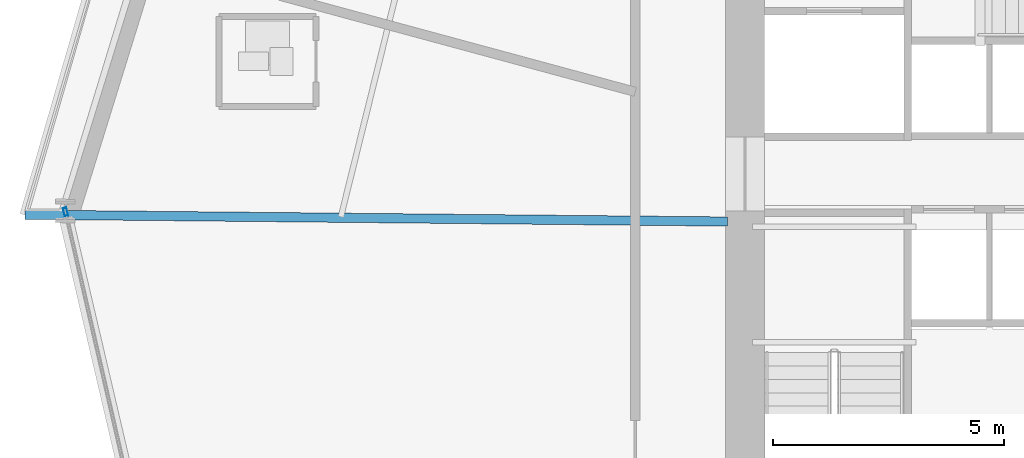
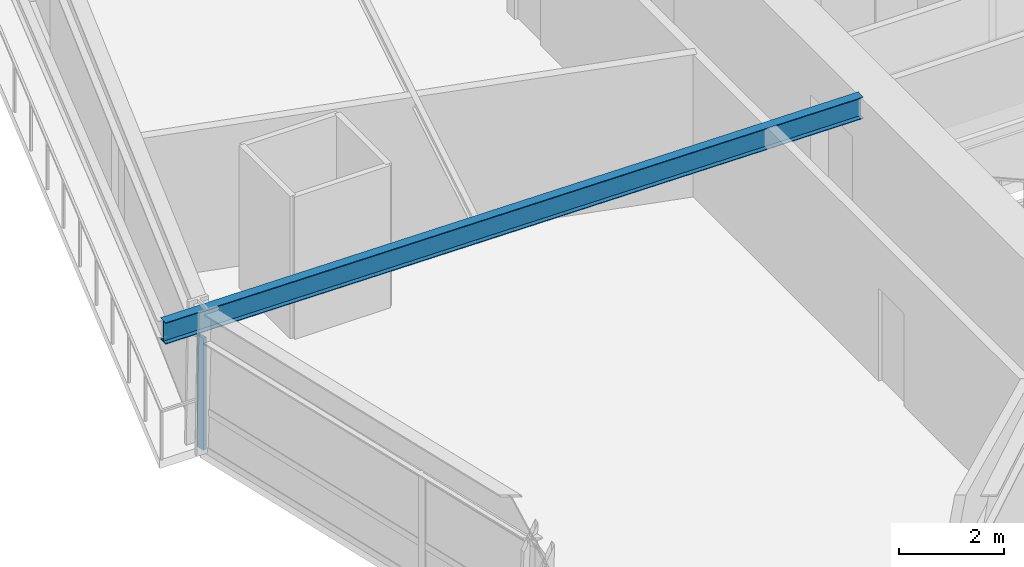
# One storey, part 6 of 23: 1 beam, 1 member, 1 element without a shape of its own.
"""IFC4 building model written with IfcOpenShell, lengths in metres."""

from ifc_helpers import new_model, si_unit, direction, frame, origin, origin_2d, place, context, subcontext, project, spatial, hollow_rectangle, i_section, extrude, source, transform, mapped, material, material_profile, profile_set, type_object, element, aggregate, save


model = new_model("IFC4")

# Units and contexts
model_context = context("Model", 3, precision=1e-05, world=origin(), true_north=direction((0.0, 1.0)))
body_context = subcontext(model_context, "Body", "Model", "MODEL_VIEW")
ifc_project = project(units=[si_unit("LENGTHUNIT", "METRE"), si_unit("AREAUNIT", "SQUARE_METRE"), si_unit("VOLUMEUNIT", "CUBIC_METRE"), si_unit("PLANEANGLEUNIT", "RADIAN"), si_unit("MASSUNIT", "GRAM", prefix="KILO")], contexts=[model_context])

# Site, building, storey
site_placement = place(None, origin())
site = spatial("IfcSite", under=ifc_project, at=site_placement, CompositionType="ELEMENT")
building_placement = place(site_placement, origin())
building = spatial("IfcBuilding", under=site, at=building_placement, Name="Olszyna Solenne Hotel", CompositionType="ELEMENT")
storey_placement = place(building_placement, frame((0.0, 0.0, 32.85009765625)))
storey = spatial("IfcBuildingStorey", under=building, at=storey_placement, Name="L07", CompositionType="ELEMENT", Elevation=32.85009765625)

# Beam
ifc_material_1 = material(Name="Steel S355J2", Category="steel")
ifc_material_profile_1 = material_profile(ifc_material_1, i_section(OverallWidth=0.199951171875, OverallDepth=0.5, WebThickness=0.01025390625, FlangeThickness=0.01611328125, at=origin_2d()), Name="IPE 500", Category="load-bearing")
ifc_profile_set_1 = profile_set([ifc_material_profile_1], Name="Steel S355J2")
beam_type = type_object("IfcBeamType", Name="BM-F3", PredefinedType="BEAM", material=ifc_profile_set_1)
shared_shape_1 = source(origin(), body_context, "Body", "SweptSolid", [
    extrude(i_section(OverallWidth=0.199951171875, OverallDepth=0.5, WebThickness=0.01025390625, FlangeThickness=0.01611328125, at=origin_2d()), origin(), (0.0, 0.0, 1.0), 15.215576171875),
])
beam_placement = place(storey_placement, frame((14.085205078125, 26.836669921875, 3.0498046875), z_axis=(0.999952256022, -0.009771677213, 0.0), x_axis=(0.009771677213, 0.999952256022, 0.0)))
element("IfcBeam", 1, at=beam_placement, inside=storey, type_object=beam_type, Name="Radial floor girder BM-F3 B-L07-0248", PredefinedType="BEAM", context=body_context, shape_type="MappedRepresentation", body=[
    mapped(shared_shape_1, transform((0.0, 0.0, 0.0), x_axis=(1.0, 0.0, 0.0), y_axis=(0.0, 1.0, 0.0), z_axis=(0.0, 0.0, 1.0), scale=1.0)),
])

# Curtain wall, member
ifc_material_2 = material(Name="Anodised bronze aluminium", Category="aluminium")
curtain_wall_type = type_object("IfcCurtainWallType", Name="CW-SYS-2", PredefinedType="NOTDEFINED", material=ifc_material_2)
curtain_wall_placement = place(storey_placement, origin())
curtain_wall = element("IfcCurtainWall", 2, at=curtain_wall_placement, inside=storey, type_object=curtain_wall_type, Name="Unitised curtain wall CW-SYS-2 CW-L07-01", PredefinedType="NOTDEFINED")
ifc_material_profile_2 = material_profile(ifc_material_2, hollow_rectangle(XDim=0.074951171875, YDim=0.179931640625, WallThickness=0.00439453125, at=origin_2d()), Name="MULL 180x75x4.5", Category="load-bearing")
ifc_profile_set_2 = profile_set([ifc_material_profile_2], Name="Anodised bronze aluminium")
member_type = type_object("IfcMemberType", Name="CW-M2", PredefinedType="MULLION", material=ifc_profile_set_2)
shared_shape_2 = source(origin(), body_context, "Body", "SweptSolid", [
    extrude(hollow_rectangle(XDim=0.074951171875, YDim=0.179931640625, WallThickness=0.00439453125, at=origin_2d()), origin(), (0.0, 0.0, 1.0), 2.591796875),
])
member_placement = place(storey_placement, frame((14.96533203125, 26.897216796875, 0.0), z_axis=(0.0, 0.0, 1.0), x_axis=(0.97469588645, 0.22353507317, 0.0)))
member = element("IfcMember", 3, at=member_placement, type_object=member_type, Name="Curtain-wall mullion CW-M2 CM-L07-01-01", PredefinedType="MULLION", context=body_context, shape_type="MappedRepresentation", body=[
    mapped(shared_shape_2, transform((0.0, 0.0, 0.0), x_axis=(1.0, 0.0, 0.0), y_axis=(0.0, 1.0, 0.0), z_axis=(0.0, 0.0, 1.0), scale=1.0)),
])
aggregate(curtain_wall, [member])

save(model, "model.ifc")
